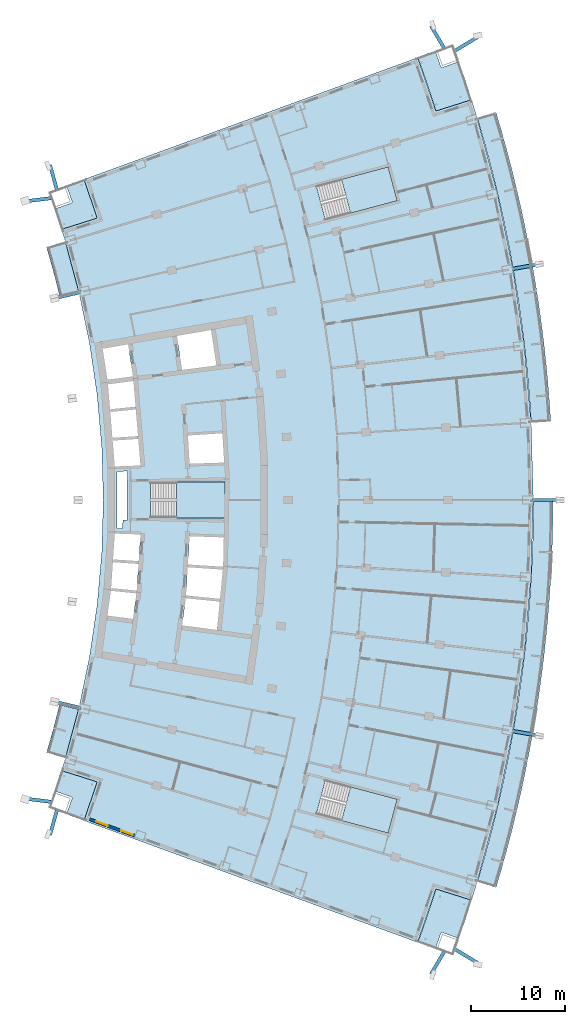
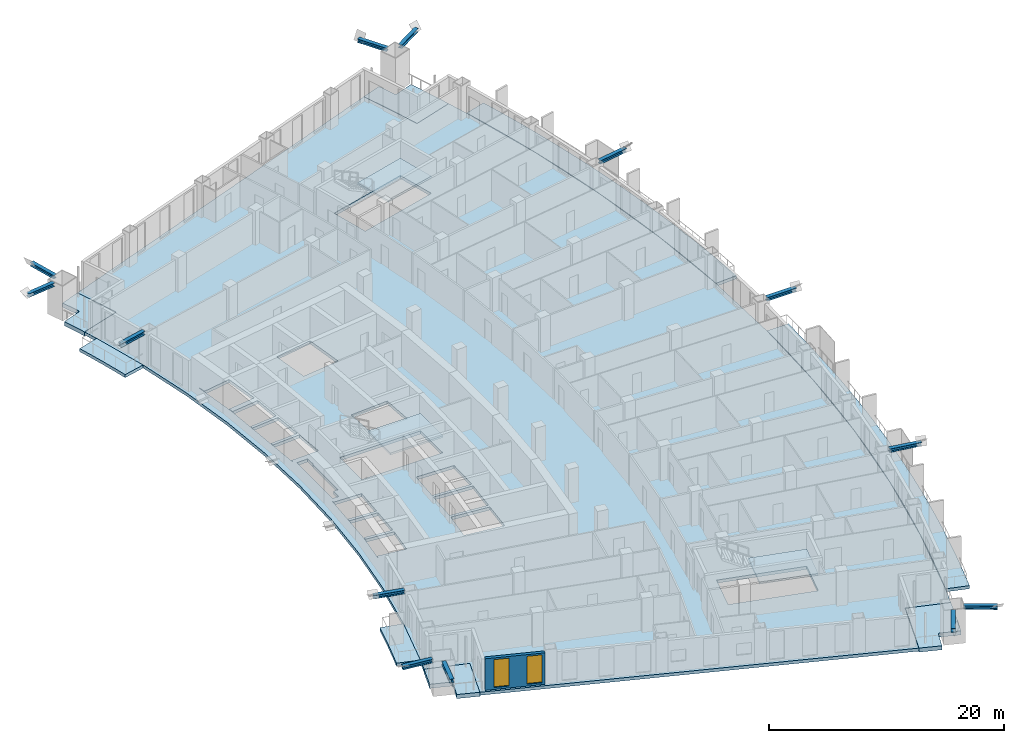
# One storey, part 9 of 23: 13 members, 12 slabs, 2 windows, 1 wall, 2 openings, 3 elements without a shape of their own.
"""IFC4 building model written with IfcOpenShell, lengths in metres."""

from ifc_helpers import new_model, si_unit, direction, frame, frame_2d, origin, origin_2d, place, context, subcontext, project, spatial, polyline, rectangle, i_section, outline, extrude, material, layer, layer_set, material_profile, profile_set, type_object, element, fill, aggregate, save


model = new_model("IFC4")

# Units and contexts
model_context = context("Model", 3, precision=1e-05, world=origin(), true_north=direction((0.0, 1.0)))
body_context = subcontext(model_context, "Body", "Model", "MODEL_VIEW")
ifc_project = project(units=[si_unit("LENGTHUNIT", "METRE"), si_unit("AREAUNIT", "SQUARE_METRE"), si_unit("VOLUMEUNIT", "CUBIC_METRE"), si_unit("PLANEANGLEUNIT", "RADIAN"), si_unit("MASSUNIT", "GRAM", prefix="KILO")], contexts=[model_context])

# Site, building, storey
site_placement = place(None, origin())
site = spatial("IfcSite", under=ifc_project, at=site_placement, CompositionType="ELEMENT")
building_placement = place(site_placement, origin())
building = spatial("IfcBuilding", under=site, at=building_placement, Name="Alderwake Tower", CompositionType="ELEMENT")
storey_placement = place(building_placement, frame((0.0, 0.0, 100.39990234375)))
storey = spatial("IfcBuildingStorey", under=building, at=storey_placement, Name="L24", CompositionType="ELEMENT", Elevation=100.39990234375)

# Members
ifc_material_1 = material(Name="Steel ASTM A992 Grade 50", Category="steel")
ifc_material_profile = material_profile(ifc_material_1, i_section(OverallWidth=0.3740234375, OverallDepth=0.372314453125, WebThickness=0.016357421875, FlangeThickness=0.026123046875, at=origin_2d()), Name="W14X132")
ifc_profile_set = profile_set([ifc_material_profile], Name="Steel ASTM A992 Grade 50")
member_type = type_object("IfcMemberType", Name="Brace node stub W14X132", PredefinedType="MEMBER", material=ifc_profile_set)
member_1_placement = place(storey_placement, frame((59.75732421875, 36.289794921875, 3.393798828125), z_axis=(0.98471761359, -0.174158610139, 0.0), x_axis=(0.174158610139, 0.98471761359, 0.0)))
element("IfcMember", 1, at=member_1_placement, inside=storey, type_object=member_type, Name="Brace node stub BS.FR04-C5.1040", PredefinedType="MEMBER", context=body_context, shape_type="SweptSolid", body=[
    extrude(i_section(OverallWidth=0.3740234375, OverallDepth=0.372314453125, WebThickness=0.016357421875, FlangeThickness=0.026123046875, at=origin_2d()), origin(), (0.0, 0.0, 1.0), 2.91015625),
])
member_2_placement = place(storey_placement, frame((53.624755859375, 12.94873046875, 3.393798828125), z_axis=(0.855045737891, -0.518552587607, 0.0), x_axis=(0.518552587607, 0.855045737891, 0.0)))
element("IfcMember", 2, at=member_2_placement, inside=storey, type_object=member_type, Name="Brace node stub BS.FR01-C5.1040", PredefinedType="MEMBER", context=body_context, shape_type="SweptSolid", body=[
    extrude(i_section(OverallWidth=0.3740234375, OverallDepth=0.372314453125, WebThickness=0.016357421875, FlangeThickness=0.026123046875, at=origin_2d()), origin(), (0.0, 0.0, 1.0), 2.889892578125),
])
for number, where, z_axis, x_axis, name in (
    (3, (61.925048828125, 61.0, 3.393798828125), (1.0, 0.0, 0.0), (0.0, 1.0, 0.0), "Brace node stub BS.FR07-C5.1040"),
    (4, (59.75732421875, 85.710205078125, 3.393798828125), (0.98471761359, 0.174158610139, 0.0), (-0.174158610139, 0.98471761359, 0.0), "Brace node stub BS.FR10-C5.1040"),
):
    element("IfcMember", number, at=place(storey_placement, frame(where, z_axis=z_axis, x_axis=x_axis)), inside=storey, type_object=member_type, Name=name, PredefinedType="MEMBER", context=body_context, shape_type="SweptSolid", body=[
        extrude(i_section(OverallWidth=0.3740234375, OverallDepth=0.372314453125, WebThickness=0.016357421875, FlangeThickness=0.026123046875, at=origin_2d()), origin(), (0.0, 0.0, 1.0), 2.91015625),
    ])
member_3_placement = place(storey_placement, frame((53.624755859375, 109.05126953125, 3.393798828125), z_axis=(0.855045737891, 0.518552587607, 0.0), x_axis=(-0.518552587607, 0.855045737891, 0.0)))
element("IfcMember", 5, at=member_3_placement, inside=storey, type_object=member_type, Name="Brace node stub BS.FR13-C5.1040", PredefinedType="MEMBER", context=body_context, shape_type="SweptSolid", body=[
    extrude(i_section(OverallWidth=0.3740234375, OverallDepth=0.372314453125, WebThickness=0.016357421875, FlangeThickness=0.026123046875, at=origin_2d()), origin(), (0.0, 0.0, 1.0), 2.889892578125),
])
member_4_placement = place(storey_placement, frame((13.471435546875, 38.785400390625, 3.393798828125), z_axis=(-0.97289949111, 0.231228415638, 0.0), x_axis=(-0.231228415638, -0.97289949111, 0.0)))
element("IfcMember", 6, at=member_4_placement, inside=storey, type_object=member_type, Name="Brace node stub BS.RR03-C0.1040", PredefinedType="MEMBER", context=body_context, shape_type="SweptSolid", body=[
    extrude(i_section(OverallWidth=0.3740234375, OverallDepth=0.372314453125, WebThickness=0.016357421875, FlangeThickness=0.026123046875, at=origin_2d()), origin(), (0.0, 0.0, 1.0), 2.77783203125),
])
member_5_placement = place(storey_placement, frame((10.40869140625, 28.718994140625, 3.393798828125), z_axis=(-0.992515940271, 0.12211514365, 0.0), x_axis=(-0.12211514365, -0.992515940271, 0.0)))
element("IfcMember", 7, at=member_5_placement, inside=storey, type_object=member_type, Name="Brace node stub BS.RR01-C0.1040", PredefinedType="MEMBER", context=body_context, shape_type="SweptSolid", body=[
    extrude(i_section(OverallWidth=0.3740234375, OverallDepth=0.372314453125, WebThickness=0.016357421875, FlangeThickness=0.026123046875, at=origin_2d()), origin(), (0.0, 0.0, 1.0), 2.77099609375),
])
member_6_placement = place(storey_placement, frame((13.471435546875, 83.214599609375, 3.393798828125), z_axis=(-0.97289949111, -0.231228415638, 0.0), x_axis=(0.231228415638, -0.97289949111, 0.0)))
element("IfcMember", 8, at=member_6_placement, inside=storey, type_object=member_type, Name="Brace node stub BS.RR11-C0.1040", PredefinedType="MEMBER", context=body_context, shape_type="SweptSolid", body=[
    extrude(i_section(OverallWidth=0.3740234375, OverallDepth=0.372314453125, WebThickness=0.016357421875, FlangeThickness=0.026123046875, at=origin_2d()), origin(), (0.0, 0.0, 1.0), 2.77783203125),
])
member_7_placement = place(storey_placement, frame((10.40869140625, 93.281005859375, 3.393798828125), z_axis=(-0.992515940271, -0.12211514365, 0.0), x_axis=(0.12211514365, -0.992515940271, 0.0)))
element("IfcMember", 9, at=member_7_placement, inside=storey, type_object=member_type, Name="Brace node stub BS.RR13-C0.1040", PredefinedType="MEMBER", context=body_context, shape_type="SweptSolid", body=[
    extrude(i_section(OverallWidth=0.3740234375, OverallDepth=0.372314453125, WebThickness=0.016357421875, FlangeThickness=0.026123046875, at=origin_2d()), origin(), (0.0, 0.0, 1.0), 2.77099609375),
])
member_8_placement = place(storey_placement, frame((52.4931640625, 12.73974609375, 3.393798828125), z_axis=(-0.508171144152, -0.861256110719, 0.0), x_axis=(0.861256110719, -0.508171144152, 0.0)))
element("IfcMember", 10, at=member_8_placement, inside=storey, type_object=member_type, Name="Brace node stub BS.SR01-C5.1040", PredefinedType="MEMBER", context=body_context, shape_type="SweptSolid", body=[
    extrude(i_section(OverallWidth=0.3740234375, OverallDepth=0.372314453125, WebThickness=0.016357421875, FlangeThickness=0.026123046875, at=origin_2d()), origin(), (0.0, 0.0, 1.0), 2.8447265625),
])
member_9_placement = place(storey_placement, frame((11.057373046875, 27.870849609375, 3.393798828125), z_axis=(-0.269658917239, -0.962955901562, 0.0), x_axis=(0.962955901562, -0.269658917239, 0.0)))
element("IfcMember", 11, at=member_9_placement, inside=storey, type_object=member_type, Name="Brace node stub BS.SR01-C0.1040", PredefinedType="MEMBER", context=body_context, shape_type="SweptSolid", body=[
    extrude(i_section(OverallWidth=0.3740234375, OverallDepth=0.372314453125, WebThickness=0.016357421875, FlangeThickness=0.026123046875, at=origin_2d()), origin(), (0.0, 0.0, 1.0), 2.811279296875),
])
member_10_placement = place(storey_placement, frame((52.4931640625, 109.26025390625, 3.393798828125), z_axis=(-0.508171144152, 0.861256110719, 0.0), x_axis=(-0.861256110719, -0.508171144152, 0.0)))
element("IfcMember", 12, at=member_10_placement, inside=storey, type_object=member_type, Name="Brace node stub BS.NR13-C5.1040", PredefinedType="MEMBER", context=body_context, shape_type="SweptSolid", body=[
    extrude(i_section(OverallWidth=0.3740234375, OverallDepth=0.372314453125, WebThickness=0.016357421875, FlangeThickness=0.026123046875, at=origin_2d()), origin(), (0.0, 0.0, 1.0), 2.8447265625),
])
member_11_placement = place(storey_placement, frame((11.057373046875, 94.129150390625, 3.393798828125), z_axis=(-0.269658917239, 0.962955901562, 0.0), x_axis=(-0.962955901562, -0.269658917239, 0.0)))
element("IfcMember", 13, at=member_11_placement, inside=storey, type_object=member_type, Name="Brace node stub BS.NR13-C0.1040", PredefinedType="MEMBER", context=body_context, shape_type="SweptSolid", body=[
    extrude(i_section(OverallWidth=0.3740234375, OverallDepth=0.372314453125, WebThickness=0.016357421875, FlangeThickness=0.026123046875, at=origin_2d()), origin(), (0.0, 0.0, 1.0), 2.811279296875),
])

# Slabs
ifc_material_2 = material(Name="Concrete C50/60", Category="concrete")
ifc_layer_1 = layer(ifc_material_2, 0.320068359375)
ifc_layer_set_1 = layer_set([ifc_layer_1], Name="Balcony slab 320")
slab_type_1 = type_object("IfcSlabType", Name="Balcony slab 320", PredefinedType="FLOOR", material=ifc_layer_set_1)
slab_1_placement = place(storey_placement, frame((0.0, 0.0, -0.31982421875)))
element("IfcSlab", 14, at=slab_1_placement, inside=storey, type_object=slab_type_1, Name="Balcony BF02", PredefinedType="FLOOR", context=body_context, shape_type="SweptSolid", body=[
    extrude(outline(polyline([(58.603515625, 21.581298828125), (59.163818359375, 23.606689453125), (59.694091796875, 25.639892578125), (60.195068359375, 27.680908203125), (60.666015625, 29.72900390625), (61.107177734375, 31.78369140625), (61.51806640625, 33.844482421875), (61.899169921875, 35.910888671875), (62.25, 37.98291015625), (62.5703125, 40.059814453125), (62.860595703125, 42.14111328125), (63.120361328125, 44.226318359375), (63.349853515625, 46.315185546875), (63.548583984375, 48.4072265625), (63.717041015625, 50.501953125), (63.85498046875, 52.598876953125), (63.962158203125, 54.697509765625), (64.038818359375, 56.797607421875), (64.084716796875, 58.898681640625), (64.10009765625, 61.0), (62.0, 61.0), (61.98486328125, 58.92919921875), (61.939697265625, 56.85888671875), (61.864013671875, 54.78955078125), (61.758544921875, 52.721435546875), (61.622802734375, 50.655029296875), (61.456787109375, 48.5908203125), (61.2607421875, 46.529296875), (61.03466796875, 44.470947265625), (60.77880859375, 42.416015625), (60.49267578125, 40.364990234375), (60.1767578125, 38.318359375), (59.831298828125, 36.276611328125), (59.455810546875, 34.239990234375), (59.05078125, 32.209228515625), (58.6162109375, 30.1845703125), (58.152099609375, 28.16650390625), (57.658447265625, 26.155517578125), (57.1357421875, 24.151611328125), (56.583740234375, 22.15576171875), (56.002685546875, 20.168212890625), (58.01416015625, 19.564208984375), (58.603515625, 21.581298828125)])), origin(), (0.0, 0.0, 1.0), 0.31982421875),
])
slab_2_placement = place(storey_placement, frame((0.0, 0.0, -0.31982421875)))
element("IfcSlab", 15, at=slab_2_placement, inside=storey, type_object=slab_type_1, Name="Balcony BF08", PredefinedType="FLOOR", context=body_context, shape_type="SweptSolid", body=[
    extrude(outline(polyline([(63.717041015625, 71.498046875), (63.548583984375, 73.5927734375), (63.349853515625, 75.684814453125), (63.120361328125, 77.773681640625), (62.860595703125, 79.85888671875), (62.5703125, 81.940185546875), (62.25, 84.01708984375), (61.899169921875, 86.089111328125), (61.51806640625, 88.155517578125), (61.107177734375, 90.21630859375), (60.666015625, 92.27099609375), (60.195068359375, 94.319091796875), (59.694091796875, 96.360107421875), (59.163818359375, 98.393310546875), (58.603515625, 100.418701171875), (58.01416015625, 102.435791015625), (56.002685546875, 101.831787109375), (56.583740234375, 99.84423828125), (57.1357421875, 97.848388671875), (57.658447265625, 95.844482421875), (58.152099609375, 93.83349609375), (58.6162109375, 91.8154296875), (59.05078125, 89.790771484375), (59.455810546875, 87.760009765625), (59.831298828125, 85.723388671875), (60.1767578125, 83.681640625), (60.49267578125, 81.635009765625), (60.77880859375, 79.583984375), (61.03466796875, 77.529052734375), (61.2607421875, 75.470703125), (61.456787109375, 73.4091796875), (61.622802734375, 71.344970703125), (61.758544921875, 69.278564453125), (63.85498046875, 69.401123046875), (63.717041015625, 71.498046875)])), origin(), (0.0, 0.0, 1.0), 0.31982421875),
])
slab_3_placement = place(storey_placement, frame((0.0, 0.0, -0.31982421875)))
element("IfcSlab", 16, at=slab_3_placement, inside=storey, type_object=slab_type_1, Name="Balcony BR02", PredefinedType="FLOOR", context=body_context, shape_type="SweptSolid", body=[
    extrude(outline(polyline([(9.93408203125, 33.999267578125), (11.945556640625, 33.395263671875), (13.3984375, 38.802734375), (11.35546875, 39.288330078125), (11.029052734375, 37.95849609375), (10.683349609375, 36.63330078125), (10.318359375, 35.3134765625), (9.93408203125, 33.999267578125)])), origin(), (0.0, 0.0, 1.0), 0.31982421875),
])
slab_4_placement = place(storey_placement, frame((0.0, 0.0, -0.31982421875)))
element("IfcSlab", 17, at=slab_4_placement, inside=storey, type_object=slab_type_1, Name="Balcony BR11", PredefinedType="FLOOR", context=body_context, shape_type="SweptSolid", body=[
    extrude(outline(polyline([(11.35546875, 82.711669921875), (13.3984375, 83.197265625), (11.945556640625, 88.604736328125), (9.93408203125, 88.000732421875), (10.318359375, 86.6865234375), (10.683349609375, 85.36669921875), (11.029052734375, 84.04150390625), (11.35546875, 82.711669921875)])), origin(), (0.0, 0.0, 1.0), 0.31982421875),
])
ifc_material_3 = material(Name="Concrete C50/60", Category="concrete")
ifc_layer_2 = layer(ifc_material_3, 0.320068359375)
ifc_layer_set_2 = layer_set([ifc_layer_2], Name="Concrete C50/60 post-tensioned flat plate 320")
slab_type_2 = type_object("IfcSlabType", Name="Concrete C50/60 post-tensioned flat plate 320", PredefinedType="FLOOR", material=ifc_layer_set_2)
slab_5_placement = place(storey_placement, frame((0.0, 0.0, -0.31982421875)))
element("IfcSlab", 18, at=slab_5_placement, inside=storey, type_object=slab_type_2, Name="Floor slab L24", PredefinedType="FLOOR", context=body_context, shape_type="SweptSolid", body=[
    extrude(outline(polyline([(11.533203125, 32.057373046875), (11.945556640625, 33.395263671875), (13.3984375, 38.802734375), (14.53369140625, 44.28564453125), (15.347412109375, 49.825439453125), (15.836669921875, 55.4033203125), (16.0, 61.0), (15.836669921875, 66.5966796875), (15.347412109375, 72.174560546875), (14.53369140625, 77.71435546875), (13.3984375, 83.197265625), (11.945556640625, 88.604736328125), (11.533203125, 89.942626953125), (15.34716796875, 91.1484375), (13.937255859375, 95.289794921875), (49.63330078125, 108.31982421875), (51.5791015625, 102.60498046875), (55.392822265625, 103.810791015625), (56.002685546875, 101.831787109375), (58.152099609375, 93.83349609375), (59.831298828125, 85.723388671875), (61.03466796875, 77.529052734375), (61.758544921875, 69.278564453125), (62.0, 61.0), (61.758544921875, 52.721435546875), (61.03466796875, 44.470947265625), (59.831298828125, 36.276611328125), (58.152099609375, 28.16650390625), (56.002685546875, 20.168212890625), (55.392822265625, 18.189208984375), (51.5791015625, 19.39501953125), (49.63330078125, 13.68017578125), (13.937255859375, 26.710205078125), (15.34716796875, 30.8515625), (11.533203125, 32.057373046875)]), holes=[polyline([(16.84375, 51.279541015625), (16.8583984375, 51.4287109375), (16.873291015625, 51.577880859375), (19.574951171875, 51.31103515625), (19.76611328125, 54.161376953125), (17.0537109375, 54.34326171875), (17.06396484375, 54.492919921875), (17.073974609375, 54.642578125), (19.7861328125, 54.460693359375), (19.977294921875, 57.31103515625), (17.263916015625, 57.406982421875), (17.269287109375, 57.556884765625), (17.2392578125, 57.55810546875), (17.033935546875, 54.494873046875), (16.82861328125, 51.431640625), (16.82861328125, 51.431640625), (16.41015625, 48.39013671875), (16.43994140625, 48.38623046875), (16.472412109375, 48.63427734375), (19.18017578125, 48.280029296875), (19.545166015625, 51.012451171875), (16.84375, 51.279541015625)]), polyline([(29.0, 62.875), (21.050048828125, 62.875), (21.050048828125, 59.125), (29.0, 59.125), (29.0, 62.875)]), polyline([(19.738525390625, 67.5361328125), (17.02587890625, 67.354248046875), (17.015869140625, 67.50390625), (17.005859375, 67.653564453125), (19.7138671875, 67.835205078125), (19.47802734375, 70.679443359375), (16.777099609375, 70.41259765625), (16.76220703125, 70.561767578125), (16.74755859375, 70.7109375), (19.453125, 70.978515625), (19.2255859375, 73.725830078125), (16.541015625, 73.374755859375), (16.508544921875, 73.62255859375), (16.47607421875, 73.87060546875), (19.16796875, 74.22265625), (18.656982421875, 77.6376953125), (18.90283203125, 77.674560546875), (18.900146484375, 77.690673828125), (15.96826171875, 77.183837890625), (15.836669921875, 77.94482421875), (15.58544921875, 77.900390625), (15.586181640625, 77.896484375), (15.8154296875, 77.931884765625), (16.478515625, 73.61865234375), (16.47900390625, 73.61376953125), (16.732421875, 70.558837890625), (16.98583984375, 67.501953125), (17.239501953125, 64.4443359375), (17.239501953125, 64.44189453125), (17.269287109375, 64.443115234375), (17.263916015625, 64.593017578125), (19.974609375, 64.68896484375), (19.738525390625, 67.5361328125)]), polyline([(47.436279296875, 28.996826171875), (39.754150390625, 31.043212890625), (38.7890625, 27.41943359375), (46.47119140625, 25.373291015625), (47.436279296875, 28.996826171875)]), polyline([(24.82470703125, 50.49072265625), (24.8291015625, 50.534423828125), (24.825439453125, 50.534912109375), (24.43212890625, 47.59326171875), (28.160888671875, 47.10546875), (28.45361328125, 50.132080078125), (24.82470703125, 50.49072265625)]), polyline([(25.031005859375, 53.808349609375), (24.84521484375, 50.735595703125), (24.848876953125, 50.7353515625), (24.854248046875, 50.789306640625), (28.482666015625, 50.430908203125), (28.784912109375, 53.556640625), (25.031005859375, 53.808349609375)]), polyline([(28.887451171875, 56.99560546875), (25.2314453125, 57.125), (25.049072265625, 54.10791015625), (28.809326171875, 53.855712890625), (28.8076171875, 53.83154296875), (28.811279296875, 53.831298828125), (28.8193359375, 53.912353515625), (28.887451171875, 56.99560546875)]), polyline([(28.923828125, 65.005615234375), (28.7392578125, 68.1396484375), (25.05126953125, 67.892333984375), (25.232177734375, 64.875), (28.923828125, 65.005615234375)]), polyline([(28.09619140625, 75.390380859375), (27.523193359375, 79.181396484375), (23.877685546875, 78.551025390625), (24.427001953125, 74.915283203125), (24.368896484375, 74.90673828125), (24.36962890625, 74.90283203125), (28.09619140625, 75.390380859375)]), polyline([(46.47119140625, 96.626708984375), (38.7890625, 94.58056640625), (39.754150390625, 90.956787109375), (47.436279296875, 93.003173828125), (46.47119140625, 96.626708984375)]), polyline([(17.489501953125, 64.050537109375), (17.4892578125, 57.949462890625), (18.065673828125, 57.928955078125), (18.090576171875, 58.84326171875), (18.544189453125, 58.8310546875), (18.529296875, 58.8681640625), (18.5234375, 58.89208984375), (18.5185546875, 58.94091796875), (18.5185546875, 63.060302734375), (18.5234375, 63.109130859375), (18.53759765625, 63.156005859375), (18.560791015625, 63.19921875), (18.588623046875, 63.233642578125), (18.565185546875, 64.088623046875), (17.489501953125, 64.050537109375)])]), origin(), (0.0, 0.0, 1.0), 0.31982421875),
])

# Stair, slab
ifc_material_4 = material(Name="Concrete C40/50", Category="concrete")
stair_type = type_object("IfcStairType", Name="Core exit stair", PredefinedType="HALF_TURN_STAIR", material=ifc_material_4)
stair_1_placement = place(storey_placement, origin())
stair_1 = element("IfcStair", 19, at=stair_1_placement, inside=storey, type_object=stair_type, Name="L24 Exit Stair B", PredefinedType="HALF_TURN_STAIR")
ifc_material_5 = material(Name="Concrete C40/50", Category="concrete")
ifc_layer_3 = layer(ifc_material_5, 0.199951171875)
ifc_layer_set_3 = layer_set([ifc_layer_3], Name="Core stair landing 200")
slab_type_3 = type_object("IfcSlabType", Name="Core stair landing 200", PredefinedType="LANDING", material=ifc_layer_set_3)
slab_6_placement = place(storey_placement, frame((0.0, 0.0, 1.60009765625)))
slab_6 = element("IfcSlab", 20, at=slab_6_placement, type_object=slab_type_3, Name="ST-B landing 1", PredefinedType="LANDING", context=body_context, shape_type="SweptSolid", body=[
    extrude(outline(polyline([(23.830078125, 59.074951171875), (29.0, 59.074951171875), (29.0, 62.925048828125), (23.830078125, 62.925048828125), (23.830078125, 59.074951171875)])), origin(), (0.0, 0.0, 1.0), 0.199951171875),
])
aggregate(stair_1, [slab_6])

stair_2_placement = place(storey_placement, origin())
stair_2 = element("IfcStair", 21, at=stair_2_placement, inside=storey, type_object=stair_type, Name="L24 Exit Stair A", PredefinedType="HALF_TURN_STAIR")
slab_7_placement = place(storey_placement, frame((0.0, 0.0, 1.60009765625)))
slab_7 = element("IfcSlab", 22, at=slab_7_placement, type_object=slab_type_3, Name="ST-A landing 1", PredefinedType="LANDING", context=body_context, shape_type="SweptSolid", body=[
    extrude(outline(polyline([(42.440673828125, 91.67236328125), (47.436279296875, 93.003173828125), (46.47119140625, 96.626708984375), (41.475341796875, 95.296142578125), (42.440673828125, 91.67236328125)])), origin(), (0.0, 0.0, 1.0), 0.199951171875),
])
aggregate(stair_2, [slab_7])

stair_3_placement = place(storey_placement, origin())
stair_3 = element("IfcStair", 23, at=stair_3_placement, inside=storey, type_object=stair_type, Name="L24 Exit Stair C", PredefinedType="HALF_TURN_STAIR")
slab_8_placement = place(storey_placement, frame((0.0, 0.0, 1.60009765625)))
slab_8 = element("IfcSlab", 24, at=slab_8_placement, type_object=slab_type_3, Name="ST-C landing 1", PredefinedType="LANDING", context=body_context, shape_type="SweptSolid", body=[
    extrude(outline(polyline([(41.475341796875, 26.703857421875), (46.47119140625, 25.373291015625), (47.436279296875, 28.996826171875), (42.4404296875, 30.32763671875), (41.475341796875, 26.703857421875)])), origin(), (0.0, 0.0, 1.0), 0.199951171875),
])
aggregate(stair_3, [slab_8])

# Slabs
ifc_material_6 = material(Name="Concrete C50/60", Category="concrete")
ifc_layer_4 = layer(ifc_material_6, 0.419921875)
ifc_layer_set_4 = layer_set([ifc_layer_4], Name="Terrace slab 420")
slab_type_4 = type_object("IfcSlabType", Name="Terrace slab 420", PredefinedType="FLOOR", material=ifc_layer_set_4)
slab_9_placement = place(storey_placement, frame((0.0, 0.0, -0.419921875)))
element("IfcSlab", 25, at=slab_9_placement, inside=storey, type_object=slab_type_4, Name="Corner terrace FS", PredefinedType="FLOOR", context=body_context, shape_type="SweptSolid", body=[
    extrude(outline(polyline([(54.0869140625, 14.2587890625), (54.03076171875, 14.1015625), (52.293212890625, 14.723388671875), (52.279296875, 14.7275390625), (52.2646484375, 14.73046875), (52.25, 14.73193359375), (52.2353515625, 14.73193359375), (52.220703125, 14.73046875), (52.206298828125, 14.7275390625), (52.192138671875, 14.723388671875), (52.1787109375, 14.7177734375), (52.16552734375, 14.710693359375), (52.1533203125, 14.70263671875), (52.14208984375, 14.693115234375), (52.131591796875, 14.682861328125), (52.122314453125, 14.67138671875), (52.114013671875, 14.6591796875), (52.107177734375, 14.646240234375), (52.1015625, 14.632568359375), (51.52880859375, 13.031982421875), (51.5244140625, 13.017822265625), (51.521484375, 13.00341796875), (51.5205078125, 12.9912109375), (49.63330078125, 13.68017578125), (50.309814453125, 15.57568359375), (50.958251953125, 17.480712890625), (51.5791015625, 19.39501953125), (55.392822265625, 18.189208984375), (54.754150390625, 16.21923828125), (54.0869140625, 14.2587890625)])), origin(), (0.0, 0.0, 1.0), 0.419921875),
])
slab_10_placement = place(storey_placement, frame((0.0, 0.0, -0.419921875)))
element("IfcSlab", 26, at=slab_10_placement, inside=storey, type_object=slab_type_4, Name="Corner terrace RS", PredefinedType="FLOOR", context=body_context, shape_type="SweptSolid", body=[
    extrude(outline(polyline([(13.937255859375, 26.710205078125), (12.04931640625, 27.3994140625), (12.0537109375, 27.40380859375), (12.06298828125, 27.4150390625), (12.071044921875, 27.427490234375), (12.077880859375, 27.4404296875), (12.08349609375, 27.4541015625), (12.651611328125, 29.056396484375), (12.65576171875, 29.0703125), (12.65869140625, 29.084716796875), (12.66015625, 29.099609375), (12.659912109375, 29.1142578125), (12.658447265625, 29.12890625), (12.655517578125, 29.143310546875), (12.6513671875, 29.157470703125), (12.6455078125, 29.1708984375), (12.638671875, 29.183837890625), (12.63037109375, 29.196044921875), (12.62109375, 29.20751953125), (12.610595703125, 29.218017578125), (12.59912109375, 29.227294921875), (12.5869140625, 29.2353515625), (12.573974609375, 29.2421875), (12.560302734375, 29.247802734375), (10.8095703125, 29.868408203125), (11.101318359375, 30.7255859375), (11.533203125, 32.057373046875), (15.34716796875, 30.8515625), (13.937255859375, 26.710205078125)])), origin(), (0.0, 0.0, 1.0), 0.419921875),
])
slab_11_placement = place(storey_placement, frame((0.0, 0.0, -0.419921875)))
element("IfcSlab", 27, at=slab_11_placement, inside=storey, type_object=slab_type_4, Name="Corner terrace FN", PredefinedType="FLOOR", context=body_context, shape_type="SweptSolid", body=[
    extrude(outline(polyline([(54.0869140625, 107.7412109375), (54.754150390625, 105.78076171875), (55.392822265625, 103.810791015625), (51.5791015625, 102.60498046875), (50.958251953125, 104.519287109375), (50.309814453125, 106.42431640625), (49.63330078125, 108.31982421875), (51.5205078125, 109.0087890625), (51.521484375, 108.99658203125), (51.5244140625, 108.982177734375), (51.52880859375, 108.968017578125), (52.1015625, 107.367431640625), (52.107177734375, 107.353759765625), (52.114013671875, 107.3408203125), (52.122314453125, 107.32861328125), (52.131591796875, 107.317138671875), (52.14208984375, 107.306884765625), (52.1533203125, 107.29736328125), (52.16552734375, 107.289306640625), (52.1787109375, 107.2822265625), (52.192138671875, 107.276611328125), (52.206298828125, 107.2724609375), (52.220703125, 107.26953125), (52.2353515625, 107.26806640625), (52.25, 107.26806640625), (52.2646484375, 107.26953125), (52.279296875, 107.2724609375), (52.293212890625, 107.276611328125), (54.03076171875, 107.8984375), (54.0869140625, 107.7412109375)])), origin(), (0.0, 0.0, 1.0), 0.419921875),
])
slab_12_placement = place(storey_placement, frame((0.0, 0.0, -0.419921875)))
element("IfcSlab", 28, at=slab_12_placement, inside=storey, type_object=slab_type_4, Name="Corner terrace RN", PredefinedType="FLOOR", context=body_context, shape_type="SweptSolid", body=[
    extrude(outline(polyline([(10.8095703125, 92.131591796875), (12.560302734375, 92.752197265625), (12.573974609375, 92.7578125), (12.5869140625, 92.7646484375), (12.59912109375, 92.772705078125), (12.610595703125, 92.781982421875), (12.62109375, 92.79248046875), (12.63037109375, 92.803955078125), (12.638671875, 92.816162109375), (12.6455078125, 92.8291015625), (12.6513671875, 92.842529296875), (12.655517578125, 92.856689453125), (12.658447265625, 92.87109375), (12.659912109375, 92.8857421875), (12.66015625, 92.900390625), (12.65869140625, 92.915283203125), (12.65576171875, 92.9296875), (12.651611328125, 92.943603515625), (12.08349609375, 94.5458984375), (12.077880859375, 94.5595703125), (12.071044921875, 94.572509765625), (12.06298828125, 94.5849609375), (12.0537109375, 94.59619140625), (12.04931640625, 94.6005859375), (13.937255859375, 95.289794921875), (15.34716796875, 91.1484375), (11.533203125, 89.942626953125), (11.101318359375, 91.2744140625), (10.8095703125, 92.131591796875)])), origin(), (0.0, 0.0, 1.0), 0.419921875),
])

# Wall, openings, windows
ifc_material_7 = material(Name="Bronze metal cladding on lightweight framing")
ifc_layer_5 = layer(ifc_material_7, 0.300048828125)
ifc_layer_set_5 = layer_set([ifc_layer_5], Name="External wall EW2 bronze metal cladding")
wall_type = type_object("IfcWallType", Name="External wall EW2 bronze metal cladding", PredefinedType="SOLIDWALL", material=ifc_layer_set_5)
wall_placement = place(storey_placement, frame((14.523681640625, 26.86865234375, 0.0), z_axis=(0.0, 0.0, 1.0), x_axis=(0.939378067131, -0.342883138974, 0.0)))
wall = element("IfcWall", 29, at=wall_placement, inside=storey, type_object=wall_type, Name="External wall 4", PredefinedType="SOLIDWALL", context=body_context, shape_type="SweptSolid", body=[
    extrude(rectangle(XDim=5.17431640625, YDim=0.300048828125, at=frame_2d((2.587158203125, 0.0))), origin(), (0.0, 0.0, 1.0), 3.280029296875),
])
opening_1_placement = place(wall_placement, frame((0.775390625, 0.0, 0.199951171875)))
opening_1 = element("IfcOpeningElement", 30, at=opening_1_placement, cuts=wall, Name="Opening W1", PredefinedType="OPENING", context=body_context, shape_type="SweptSolid", body=[
    extrude(rectangle(XDim=1.300048828125, YDim=2.89990234375, at=frame_2d((0.64990234375, 1.449951171875))), frame((0.0, 0.159912109375, 0.0), z_axis=(0.0, -1.0, 0.0), x_axis=(1.0, 0.0, 0.0)), (0.0, 0.0, 1.0), 0.320068359375),
])
opening_2_placement = place(wall_placement, frame((3.626220703125, 0.0, 0.199951171875)))
opening_2 = element("IfcOpeningElement", 31, at=opening_2_placement, cuts=wall, Name="Opening W1", PredefinedType="OPENING", context=body_context, shape_type="SweptSolid", body=[
    extrude(rectangle(XDim=1.300048828125, YDim=2.89990234375, at=frame_2d((0.64990234375, 1.449951171875))), frame((0.0, 0.159912109375, 0.0), z_axis=(0.0, -1.0, 0.0), x_axis=(1.0, 0.0, 0.0)), (0.0, 0.0, 1.0), 0.320068359375),
])
ifc_material_8 = material(Name="Bronze tinted glass in aluminium frame", Category="aluminium")
window_type = type_object("IfcWindowType", Name="Window W1 tall fixed and vent", PartitioningType="DOUBLE_PANEL_VERTICAL", PredefinedType="WINDOW", material=ifc_material_8)
window_1_placement = place(opening_1_placement, origin())
window_1 = element("IfcWindow", 32, at=window_1_placement, inside=storey, type_object=window_type, Name="Window W1 tall fixed and vent", OverallHeight=2.89990234375, OverallWidth=1.300048828125, PartitioningType="DOUBLE_PANEL_VERTICAL", PredefinedType="WINDOW", context=body_context, shape_type="SweptSolid", body=[
    extrude(rectangle(XDim=1.300048828125, YDim=2.89990234375, at=frame_2d((0.64990234375, 1.449951171875))), frame((0.0, 0.030029296875, 0.0), z_axis=(0.0, -1.0, 0.0), x_axis=(1.0, 0.0, 0.0)), (0.0, 0.0, 1.0), 0.06005859375),
])
fill(opening_1, window_1)
window_2_placement = place(opening_2_placement, origin())
window_2 = element("IfcWindow", 33, at=window_2_placement, inside=storey, type_object=window_type, Name="Window W1 tall fixed and vent", OverallHeight=2.89990234375, OverallWidth=1.300048828125, PartitioningType="DOUBLE_PANEL_VERTICAL", PredefinedType="WINDOW", context=body_context, shape_type="SweptSolid", body=[
    extrude(rectangle(XDim=1.300048828125, YDim=2.89990234375, at=frame_2d((0.64990234375, 1.449951171875))), frame((0.0, 0.030029296875, 0.0), z_axis=(0.0, -1.0, 0.0), x_axis=(1.0, 0.0, 0.0)), (0.0, 0.0, 1.0), 0.06005859375),
])
fill(opening_2, window_2)

save(model, "model.ifc")
